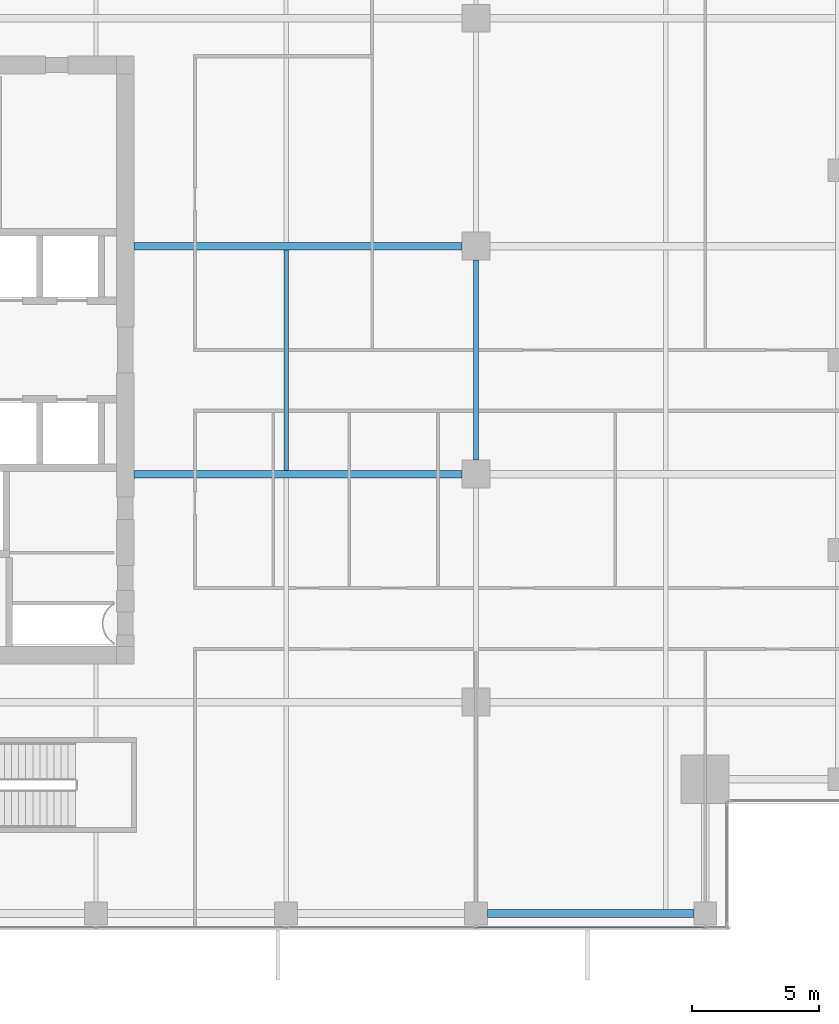
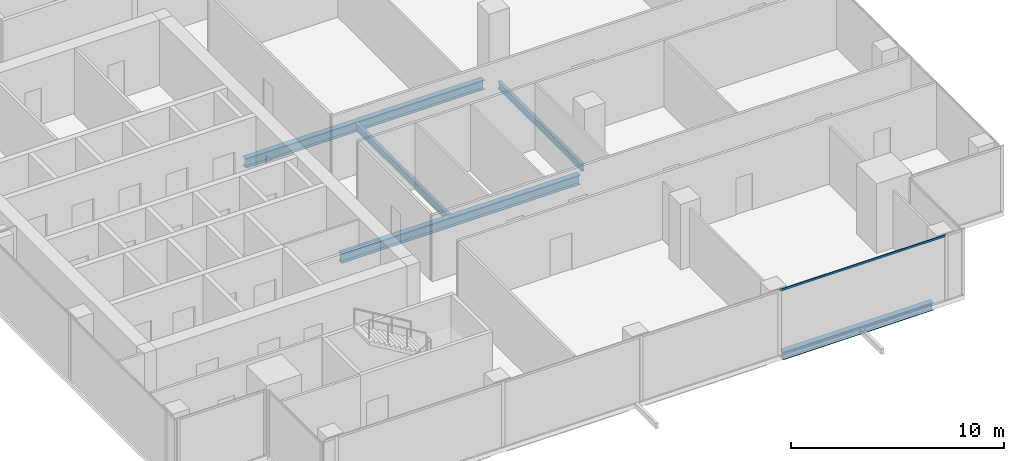
# One storey, part 9 of 34: 5 beams, 1 member, 1 element without a shape of its own.
"""IFC4 building model written with IfcOpenShell, lengths in metres."""

from ifc_helpers import new_model, si_unit, direction, frame, origin, origin_2d, place, context, subcontext, project, spatial, hollow_rectangle, i_section, extrude, source, transform, mapped, material, material_profile, profile_set, type_object, element, aggregate, save


model = new_model("IFC4")

# Units and contexts
model_context = context("Model", 3, precision=1e-05, world=origin(), true_north=direction((0.0, 1.0)))
body_context = subcontext(model_context, "Body", "Model", "MODEL_VIEW")
ifc_project = project(units=[si_unit("LENGTHUNIT", "METRE"), si_unit("AREAUNIT", "SQUARE_METRE"), si_unit("VOLUMEUNIT", "CUBIC_METRE"), si_unit("PLANEANGLEUNIT", "RADIAN"), si_unit("MASSUNIT", "GRAM", prefix="KILO")], contexts=[model_context])

# Site, building, storey
site_placement = place(None, origin())
site = spatial("IfcSite", under=ifc_project, at=site_placement, CompositionType="ELEMENT")
building_placement = place(site_placement, origin())
building = spatial("IfcBuilding", under=site, at=building_placement, Name="Khomas Fold Tower", CompositionType="ELEMENT")
storey_placement = place(building_placement, frame((0.0, 0.0, 242.199951171875)))
storey = spatial("IfcBuildingStorey", under=building, at=storey_placement, Name="L54", CompositionType="ELEMENT", Elevation=242.199951171875)

# Beams
ifc_material_1 = material(Name="Steel S355", Category="steel")
ifc_material_profile_1 = material_profile(ifc_material_1, i_section(OverallWidth=0.179931640625, OverallDepth=0.39990234375, WebThickness=0.008544921875, FlangeThickness=0.013427734375, at=origin_2d()), Name="IPE 400")
ifc_profile_set_1 = profile_set([ifc_material_profile_1], Name="Steel S355")
beam_type_1 = type_object("IfcBeamType", Name="IPE 400 beam JB3", PredefinedType="BEAM", material=ifc_profile_set_1)
shared_shape_1 = source(origin(), body_context, "Body", "SweptSolid", [
    extrude(i_section(OverallWidth=0.179931640625, OverallDepth=0.39990234375, WebThickness=0.008544921875, FlangeThickness=0.013427734375, at=origin_2d()), origin(), (0.0, 0.0, 1.0), 8.7001953125),
])
beam_1_placement = place(storey_placement, frame((27.0, 22.64990234375, -0.449951171875), z_axis=(0.0, 1.0, 0.0), x_axis=(-1.0, 0.0, 0.0)))
element("IfcBeam", 1, at=beam_1_placement, inside=storey, type_object=beam_type_1, Name="JB3", PredefinedType="BEAM", context=body_context, shape_type="MappedRepresentation", body=[
    mapped(shared_shape_1, transform((0.0, 0.0, 0.0))),
])
ifc_material_2 = material(Name="Steel S355", Category="steel")
ifc_material_profile_2 = material_profile(ifc_material_2, i_section(OverallWidth=0.300048828125, OverallDepth=0.449951171875, WebThickness=0.013916015625, FlangeThickness=0.02587890625, at=origin_2d()), Name="HE 450 B")
ifc_profile_set_2 = profile_set([ifc_material_profile_2], Name="Steel S355")
beam_type_2 = type_object("IfcBeamType", Name="HE 450 B spandrel SB4", PredefinedType="SPANDREL", material=ifc_profile_set_2)
shared_shape_2 = source(origin(), body_context, "Body", "SweptSolid", [
    extrude(i_section(OverallWidth=0.300048828125, OverallDepth=0.449951171875, WebThickness=0.013916015625, FlangeThickness=0.02587890625, at=origin_2d()), origin(), (0.0, 0.0, 1.0), 8.150146484375),
])
beam_2_placement = place(storey_placement, frame((34.949951171875, 5.14990234375, -0.474853515625), z_axis=(1.0, 0.0, 0.0), x_axis=(0.0, 1.0, 0.0)))
element("IfcBeam", 2, at=beam_2_placement, inside=storey, type_object=beam_type_2, Name="SB4", PredefinedType="SPANDREL", context=body_context, shape_type="MappedRepresentation", body=[
    mapped(shared_shape_2, transform((0.0, 0.0, 0.0))),
])
ifc_material_3 = material(Name="Steel S355", Category="steel")
ifc_material_profile_3 = material_profile(ifc_material_3, i_section(OverallWidth=0.300048828125, OverallDepth=0.550048828125, WebThickness=0.014892578125, FlangeThickness=0.029052734375, at=origin_2d()), Name="HE 550 B")
ifc_profile_set_3 = profile_set([ifc_material_profile_3], Name="Steel S355")
beam_type_3 = type_object("IfcBeamType", Name="HE 550 B beam GB4", PredefinedType="BEAM", material=ifc_profile_set_3)
shared_shape_3 = source(origin(), body_context, "Body", "SweptSolid", [
    extrude(i_section(OverallWidth=0.300048828125, OverallDepth=0.550048828125, WebThickness=0.014892578125, FlangeThickness=0.029052734375, at=origin_2d()), origin(), (0.0, 0.0, 1.0), 12.949951171875),
])
for number, where, z_axis, x_axis, name in (
    (3, (21.0, 22.5, -0.52490234375), (1.0, 0.0, 0.0), (0.0, 1.0, 0.0), "GB4"),
    (4, (21.0, 31.5, -0.52490234375), (1.0, 0.0, 0.0), (0.0, 1.0, 0.0), "GB4"),
):
    element("IfcBeam", number, at=place(storey_placement, frame(where, z_axis=z_axis, x_axis=x_axis)), inside=storey, type_object=beam_type_3, Name=name, PredefinedType="BEAM", context=body_context, shape_type="MappedRepresentation", body=[
        mapped(shared_shape_3, transform((0.0, 0.0, 0.0))),
    ])
shared_shape_4 = source(origin(), body_context, "Body", "SweptSolid", [
    extrude(i_section(OverallWidth=0.179931640625, OverallDepth=0.39990234375, WebThickness=0.008544921875, FlangeThickness=0.013427734375, at=origin_2d()), origin(), (0.0, 0.0, 1.0), 7.89990234375),
])
beam_3_placement = place(storey_placement, frame((34.5, 23.050048828125, -0.449951171875), z_axis=(0.0, 1.0, 0.0), x_axis=(-1.0, 0.0, 0.0)))
element("IfcBeam", 5, at=beam_3_placement, inside=storey, type_object=beam_type_1, Name="JB3", PredefinedType="BEAM", context=body_context, shape_type="MappedRepresentation", body=[
    mapped(shared_shape_4, transform((0.0, 0.0, 0.0))),
])

# Curtain wall, member
ifc_material_4 = material(Name="Aluminium framed double glazing", Category="aluminium")
curtain_wall_type = type_object("IfcCurtainWallType", Name="SK-Unitised clear-glass wall, office floors CW2", PredefinedType="NOTDEFINED", material=ifc_material_4)
curtain_wall_placement = place(storey_placement, origin())
curtain_wall = element("IfcCurtainWall", 6, at=curtain_wall_placement, inside=storey, type_object=curtain_wall_type, Name="CW2 run L54 00-0", PredefinedType="NOTDEFINED")
ifc_material_5 = material(Name="Aluminium", Category="aluminium")
ifc_material_profile_4 = material_profile(ifc_material_5, hollow_rectangle(XDim=0.050048828125, YDim=0.110107421875, WallThickness=0.00390625, at=origin_2d()), Name="SK-Unitised clear-glass wall, office floors transom CW2-T")
ifc_profile_set_4 = profile_set([ifc_material_profile_4], Name="Aluminium")
member_type = type_object("IfcMemberType", Name="SK-Unitised clear-glass wall, office floors transom CW2-T", PredefinedType="USERDEFINED", material=ifc_profile_set_4)
shared_shape_5 = source(origin(), body_context, "Body", "SweptSolid", [
    extrude(hollow_rectangle(XDim=0.050048828125, YDim=0.110107421875, WallThickness=0.00390625, at=origin_2d()), origin(), (0.0, 0.0, 1.0), 8.989990234375),
])
member_placement = place(storey_placement, frame((34.530029296875, 4.60009765625, 3.695068359375), z_axis=(1.0, 0.0, 0.0), x_axis=(0.0, 1.0, 0.0)))
member = element("IfcMember", 7, at=member_placement, type_object=member_type, Name="CW2 transom 5", ObjectType="TRANSOM", PredefinedType="USERDEFINED", context=body_context, shape_type="MappedRepresentation", body=[
    mapped(shared_shape_5, transform((0.0, 0.0, 0.0))),
])
aggregate(curtain_wall, [member])

save(model, "model.ifc")
